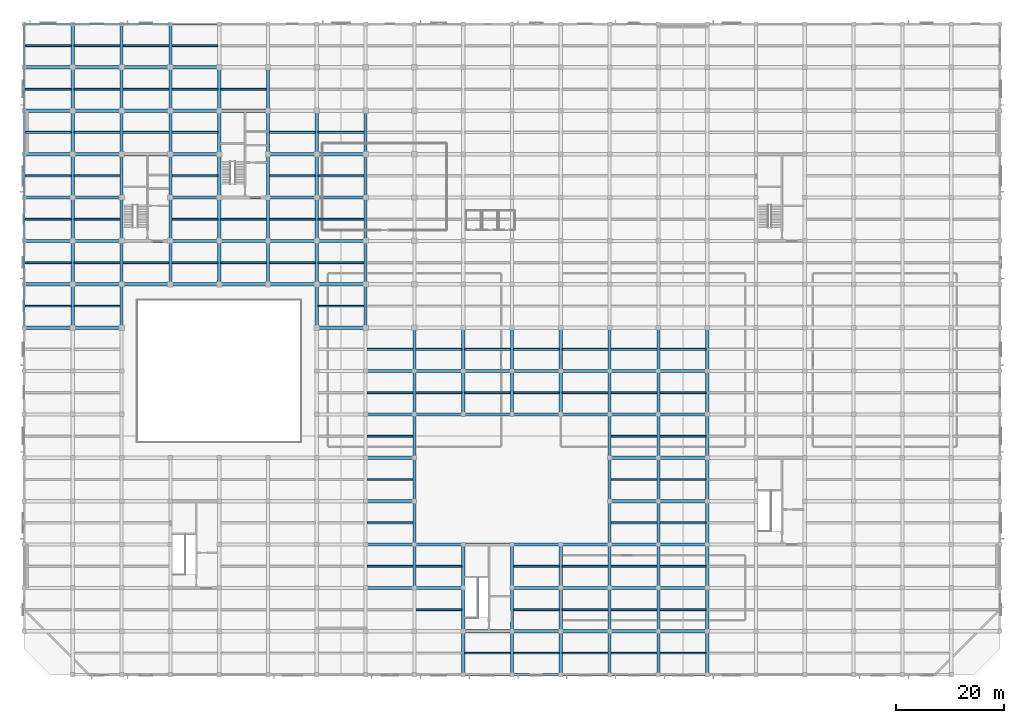
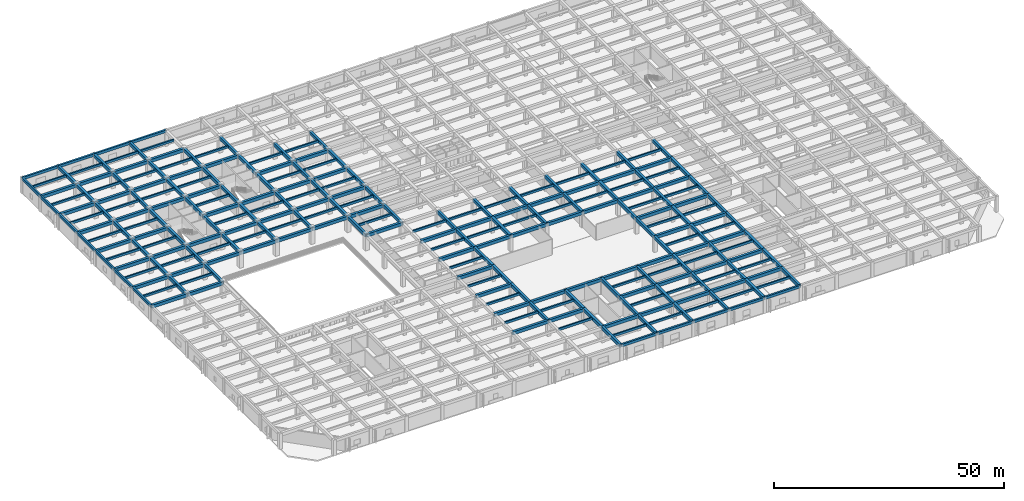
# One storey, part 3 of 32: 252 beams.
"""IFC4 building model written with IfcOpenShell, lengths in metres."""

from ifc_helpers import new_model, si_unit, direction, frame, origin, origin_2d, place, context, subcontext, project, spatial, rectangle, extrude, material, material_profile, profile_set, type_object, element, save


model = new_model("IFC4")

# Units and contexts
model_context = context("Model", 3, precision=1e-05, world=origin(), true_north=direction((0.0, 1.0)))
body_context = subcontext(model_context, "Body", "Model", "MODEL_VIEW")
ifc_project = project(units=[si_unit("LENGTHUNIT", "METRE"), si_unit("AREAUNIT", "SQUARE_METRE"), si_unit("VOLUMEUNIT", "CUBIC_METRE"), si_unit("PLANEANGLEUNIT", "RADIAN"), si_unit("MASSUNIT", "GRAM", prefix="KILO")], contexts=[model_context])

# Site, building, storey
site_placement = place(None, origin())
site = spatial("IfcSite", under=ifc_project, at=site_placement, CompositionType="ELEMENT")
building_placement = place(site_placement, origin())
building = spatial("IfcBuilding", under=site, at=building_placement, Name="Zaverband Oceanarium and Marine Research Institute", CompositionType="ELEMENT")
storey_placement = place(building_placement, frame((0.0, 0.0, 13.5)))
storey = spatial("IfcBuildingStorey", under=building, at=storey_placement, Name="L03", CompositionType="ELEMENT", Elevation=13.5)

# Beams
ifc_material = material(Name="Concrete C40/50", Category="concrete")
ifc_material_profile_1 = material_profile(ifc_material, rectangle(XDim=0.60009765625, YDim=0.85009765625, at=origin_2d()), Name="RC600x850")
ifc_profile_set_1 = profile_set([ifc_material_profile_1], Name="Concrete C40/50")
beam_type_1 = type_object("IfcBeamType", Name="BM-600x850", PredefinedType="BEAM", material=ifc_profile_set_1)
for number, where, z_axis, x_axis, name in (
    (1, (81.0, 8.0, 3.77490234375), (1.0, 0.0, 0.0), (0.0, 1.0, 0.0), "Primary floor girder BM-600x850"),
    (2, (90.0, 8.0, 3.77490234375), (1.0, 0.0, 0.0), (0.0, 1.0, 0.0), "Primary floor girder BM-600x850"),
    (3, (99.0, 8.0, 3.77490234375), (1.0, 0.0, 0.0), (0.0, 1.0, 0.0), "Primary floor girder BM-600x850"),
    (4, (108.0, 8.0, 3.77490234375), (1.0, 0.0, 0.0), (0.0, 1.0, 0.0), "Primary floor girder BM-600x850"),
    (5, (117.0, 8.0, 3.77490234375), (1.0, 0.0, 0.0), (0.0, 1.0, 0.0), "Primary floor girder BM-600x850"),
    (6, (63.0, 16.0, 3.77490234375), (1.0, 0.0, 0.0), (0.0, 1.0, 0.0), "Primary floor girder BM-600x850"),
    (7, (72.0, 16.0, 3.77490234375), (1.0, 0.0, 0.0), (0.0, 1.0, 0.0), "Primary floor girder BM-600x850"),
    (8, (90.0, 16.0, 3.77490234375), (1.0, 0.0, 0.0), (0.0, 1.0, 0.0), "Primary floor girder BM-600x850"),
    (9, (99.0, 16.0, 3.77490234375), (1.0, 0.0, 0.0), (0.0, 1.0, 0.0), "Primary floor girder BM-600x850"),
    (10, (108.0, 16.0, 3.77490234375), (1.0, 0.0, 0.0), (0.0, 1.0, 0.0), "Primary floor girder BM-600x850"),
    (11, (117.0, 16.0, 3.77490234375), (1.0, 0.0, 0.0), (0.0, 1.0, 0.0), "Primary floor girder BM-600x850"),
    (12, (63.0, 24.0, 3.77490234375), (1.0, 0.0, 0.0), (0.0, 1.0, 0.0), "Primary floor girder BM-600x850"),
    (13, (72.0, 24.0, 3.77490234375), (1.0, 0.0, 0.0), (0.0, 1.0, 0.0), "Primary floor girder BM-600x850"),
    (14, (81.0, 24.0, 3.77490234375), (1.0, 0.0, 0.0), (0.0, 1.0, 0.0), "Primary floor girder BM-600x850"),
    (15, (90.0, 24.0, 3.77490234375), (1.0, 0.0, 0.0), (0.0, 1.0, 0.0), "Primary floor girder BM-600x850"),
    (16, (99.0, 24.0, 3.77490234375), (1.0, 0.0, 0.0), (0.0, 1.0, 0.0), "Primary floor girder BM-600x850"),
    (17, (108.0, 24.0, 3.77490234375), (1.0, 0.0, 0.0), (0.0, 1.0, 0.0), "Primary floor girder BM-600x850"),
    (18, (117.0, 24.0, 3.77490234375), (1.0, 0.0, 0.0), (0.0, 1.0, 0.0), "Primary floor girder BM-600x850"),
    (19, (63.0, 32.0, 3.77490234375), (1.0, 0.0, 0.0), (0.0, 1.0, 0.0), "Primary floor girder BM-600x850"),
    (20, (108.0, 32.0, 3.77490234375), (1.0, 0.0, 0.0), (0.0, 1.0, 0.0), "Primary floor girder BM-600x850"),
    (21, (117.0, 32.0, 3.77490234375), (1.0, 0.0, 0.0), (0.0, 1.0, 0.0), "Primary floor girder BM-600x850"),
    (22, (63.0, 40.0, 3.77490234375), (1.0, 0.0, 0.0), (0.0, 1.0, 0.0), "Primary floor girder BM-600x850"),
    (23, (108.0, 40.0, 3.77490234375), (1.0, 0.0, 0.0), (0.0, 1.0, 0.0), "Primary floor girder BM-600x850"),
    (24, (117.0, 40.0, 3.77490234375), (1.0, 0.0, 0.0), (0.0, 1.0, 0.0), "Primary floor girder BM-600x850"),
    (25, (63.0, 48.0, 3.77490234375), (1.0, 0.0, 0.0), (0.0, 1.0, 0.0), "Primary floor girder BM-600x850"),
    (26, (72.0, 48.0, 3.77490234375), (1.0, 0.0, 0.0), (0.0, 1.0, 0.0), "Primary floor girder BM-600x850"),
    (27, (81.0, 48.0, 3.77490234375), (1.0, 0.0, 0.0), (0.0, 1.0, 0.0), "Primary floor girder BM-600x850"),
    (28, (90.0, 48.0, 3.77490234375), (1.0, 0.0, 0.0), (0.0, 1.0, 0.0), "Primary floor girder BM-600x850"),
    (29, (99.0, 48.0, 3.77490234375), (1.0, 0.0, 0.0), (0.0, 1.0, 0.0), "Primary floor girder BM-600x850"),
    (30, (108.0, 48.0, 3.77490234375), (1.0, 0.0, 0.0), (0.0, 1.0, 0.0), "Primary floor girder BM-600x850"),
    (31, (117.0, 48.0, 3.77490234375), (1.0, 0.0, 0.0), (0.0, 1.0, 0.0), "Primary floor girder BM-600x850"),
    (32, (63.0, 56.0, 3.77490234375), (1.0, 0.0, 0.0), (0.0, 1.0, 0.0), "Primary floor girder BM-600x850"),
    (33, (72.0, 56.0, 3.77490234375), (1.0, 0.0, 0.0), (0.0, 1.0, 0.0), "Primary floor girder BM-600x850"),
    (34, (81.0, 56.0, 3.77490234375), (1.0, 0.0, 0.0), (0.0, 1.0, 0.0), "Primary floor girder BM-600x850"),
    (35, (90.0, 56.0, 3.77490234375), (1.0, 0.0, 0.0), (0.0, 1.0, 0.0), "Primary floor girder BM-600x850"),
    (36, (99.0, 56.0, 3.77490234375), (1.0, 0.0, 0.0), (0.0, 1.0, 0.0), "Primary floor girder BM-600x850"),
    (37, (108.0, 56.0, 3.77490234375), (1.0, 0.0, 0.0), (0.0, 1.0, 0.0), "Primary floor girder BM-600x850"),
    (38, (117.0, 56.0, 3.77490234375), (1.0, 0.0, 0.0), (0.0, 1.0, 0.0), "Primary floor girder BM-600x850"),
    (39, (0.0, 64.0, 3.77490234375), (1.0, 0.0, 0.0), (0.0, 1.0, 0.0), "Primary floor girder BM-600x850"),
    (40, (9.0, 64.0, 3.77490234375), (1.0, 0.0, 0.0), (0.0, 1.0, 0.0), "Primary floor girder BM-600x850"),
    (41, (54.0, 64.0, 3.77490234375), (1.0, 0.0, 0.0), (0.0, 1.0, 0.0), "Primary floor girder BM-600x850"),
    (42, (0.0, 72.0, 3.77490234375), (1.0, 0.0, 0.0), (0.0, 1.0, 0.0), "Primary floor girder BM-600x850"),
    (43, (9.0, 72.0, 3.77490234375), (1.0, 0.0, 0.0), (0.0, 1.0, 0.0), "Primary floor girder BM-600x850"),
    (44, (18.0, 72.0, 3.77490234375), (1.0, 0.0, 0.0), (0.0, 1.0, 0.0), "Primary floor girder BM-600x850"),
    (45, (27.0, 72.0, 3.77490234375), (1.0, 0.0, 0.0), (0.0, 1.0, 0.0), "Primary floor girder BM-600x850"),
    (46, (36.0, 72.0, 3.77490234375), (1.0, 0.0, 0.0), (0.0, 1.0, 0.0), "Primary floor girder BM-600x850"),
    (47, (45.0, 72.0, 3.77490234375), (1.0, 0.0, 0.0), (0.0, 1.0, 0.0), "Primary floor girder BM-600x850"),
    (48, (54.0, 72.0, 3.77490234375), (1.0, 0.0, 0.0), (0.0, 1.0, 0.0), "Primary floor girder BM-600x850"),
    (49, (0.0, 80.0, 3.77490234375), (1.0, 0.0, 0.0), (0.0, 1.0, 0.0), "Primary floor girder BM-600x850"),
    (50, (9.0, 80.0, 3.77490234375), (1.0, 0.0, 0.0), (0.0, 1.0, 0.0), "Primary floor girder BM-600x850"),
    (51, (18.0, 80.0, 3.77490234375), (1.0, 0.0, 0.0), (0.0, 1.0, 0.0), "Primary floor girder BM-600x850"),
    (52, (27.0, 80.0, 3.77490234375), (1.0, 0.0, 0.0), (0.0, 1.0, 0.0), "Primary floor girder BM-600x850"),
    (53, (36.0, 80.0, 3.77490234375), (1.0, 0.0, 0.0), (0.0, 1.0, 0.0), "Primary floor girder BM-600x850"),
    (54, (45.0, 80.0, 3.77490234375), (1.0, 0.0, 0.0), (0.0, 1.0, 0.0), "Primary floor girder BM-600x850"),
    (55, (54.0, 80.0, 3.77490234375), (1.0, 0.0, 0.0), (0.0, 1.0, 0.0), "Primary floor girder BM-600x850"),
    (56, (0.0, 88.0, 3.77490234375), (1.0, 0.0, 0.0), (0.0, 1.0, 0.0), "Primary floor girder BM-600x850"),
    (57, (9.0, 88.0, 3.77490234375), (1.0, 0.0, 0.0), (0.0, 1.0, 0.0), "Primary floor girder BM-600x850"),
    (58, (27.0, 88.0, 3.77490234375), (1.0, 0.0, 0.0), (0.0, 1.0, 0.0), "Primary floor girder BM-600x850"),
    (59, (36.0, 88.0, 3.77490234375), (1.0, 0.0, 0.0), (0.0, 1.0, 0.0), "Primary floor girder BM-600x850"),
    (60, (45.0, 88.0, 3.77490234375), (1.0, 0.0, 0.0), (0.0, 1.0, 0.0), "Primary floor girder BM-600x850"),
    (61, (54.0, 88.0, 3.77490234375), (1.0, 0.0, 0.0), (0.0, 1.0, 0.0), "Primary floor girder BM-600x850"),
    (62, (0.0, 96.0, 3.77490234375), (1.0, 0.0, 0.0), (0.0, 1.0, 0.0), "Primary floor girder BM-600x850"),
    (63, (9.0, 96.0, 3.77490234375), (1.0, 0.0, 0.0), (0.0, 1.0, 0.0), "Primary floor girder BM-600x850"),
    (64, (18.0, 96.0, 3.77490234375), (1.0, 0.0, 0.0), (0.0, 1.0, 0.0), "Primary floor girder BM-600x850"),
    (65, (27.0, 96.0, 3.77490234375), (1.0, 0.0, 0.0), (0.0, 1.0, 0.0), "Primary floor girder BM-600x850"),
    (66, (45.0, 96.0, 3.77490234375), (1.0, 0.0, 0.0), (0.0, 1.0, 0.0), "Primary floor girder BM-600x850"),
    (67, (54.0, 96.0, 3.77490234375), (1.0, 0.0, 0.0), (0.0, 1.0, 0.0), "Primary floor girder BM-600x850"),
    (68, (0.0, 104.0, 3.77490234375), (1.0, 0.0, 0.0), (0.0, 1.0, 0.0), "Primary floor girder BM-600x850"),
    (69, (9.0, 104.0, 3.77490234375), (1.0, 0.0, 0.0), (0.0, 1.0, 0.0), "Primary floor girder BM-600x850"),
    (70, (18.0, 104.0, 3.77490234375), (1.0, 0.0, 0.0), (0.0, 1.0, 0.0), "Primary floor girder BM-600x850"),
    (71, (27.0, 104.0, 3.77490234375), (1.0, 0.0, 0.0), (0.0, 1.0, 0.0), "Primary floor girder BM-600x850"),
    (72, (36.0, 104.0, 3.77490234375), (1.0, 0.0, 0.0), (0.0, 1.0, 0.0), "Primary floor girder BM-600x850"),
    (73, (0.0, 112.0, 3.77490234375), (1.0, 0.0, 0.0), (0.0, 1.0, 0.0), "Primary floor girder BM-600x850"),
    (74, (9.0, 112.0, 3.77490234375), (1.0, 0.0, 0.0), (0.0, 1.0, 0.0), "Primary floor girder BM-600x850"),
    (75, (18.0, 112.0, 3.77490234375), (1.0, 0.0, 0.0), (0.0, 1.0, 0.0), "Primary floor girder BM-600x850"),
    (76, (27.0, 112.0, 3.77490234375), (1.0, 0.0, 0.0), (0.0, 1.0, 0.0), "Primary floor girder BM-600x850"),
):
    element("IfcBeam", number, at=place(storey_placement, frame(where, z_axis=z_axis, x_axis=x_axis)), inside=storey, type_object=beam_type_1, Name=name, PredefinedType="BEAM", context=body_context, shape_type="SweptSolid", body=[
        extrude(rectangle(XDim=0.60009765625, YDim=0.85009765625, at=origin_2d()), origin(), (0.0, 0.0, 1.0), 9.0),
    ])
for number, where, z_axis, x_axis, name in (
    (77, (9.0, 64.0, 3.77490234375), (0.0, 1.0, 0.0), (-1.0, 0.0, 0.0), "Primary floor girder BM-600x850"),
    (78, (9.0, 72.0, 3.77490234375), (0.0, 1.0, 0.0), (-1.0, 0.0, 0.0), "Primary floor girder BM-600x850"),
    (79, (9.0, 80.0, 3.77490234375), (0.0, 1.0, 0.0), (-1.0, 0.0, 0.0), "Primary floor girder BM-600x850"),
    (80, (9.0, 88.0, 3.77490234375), (0.0, 1.0, 0.0), (-1.0, 0.0, 0.0), "Primary floor girder BM-600x850"),
    (81, (9.0, 96.0, 3.77490234375), (0.0, 1.0, 0.0), (-1.0, 0.0, 0.0), "Primary floor girder BM-600x850"),
    (82, (9.0, 104.0, 3.77490234375), (0.0, 1.0, 0.0), (-1.0, 0.0, 0.0), "Primary floor girder BM-600x850"),
    (83, (9.0, 112.0, 3.77490234375), (0.0, 1.0, 0.0), (-1.0, 0.0, 0.0), "Primary floor girder BM-600x850"),
    (84, (18.0, 64.0, 3.77490234375), (0.0, 1.0, 0.0), (-1.0, 0.0, 0.0), "Primary floor girder BM-600x850"),
    (85, (18.0, 72.0, 3.77490234375), (0.0, 1.0, 0.0), (-1.0, 0.0, 0.0), "Primary floor girder BM-600x850"),
    (86, (18.0, 80.0, 3.77490234375), (0.0, 1.0, 0.0), (-1.0, 0.0, 0.0), "Primary floor girder BM-600x850"),
    (87, (18.0, 88.0, 3.77490234375), (0.0, 1.0, 0.0), (-1.0, 0.0, 0.0), "Primary floor girder BM-600x850"),
    (88, (18.0, 96.0, 3.77490234375), (0.0, 1.0, 0.0), (-1.0, 0.0, 0.0), "Primary floor girder BM-600x850"),
    (89, (18.0, 104.0, 3.77490234375), (0.0, 1.0, 0.0), (-1.0, 0.0, 0.0), "Primary floor girder BM-600x850"),
    (90, (18.0, 112.0, 3.77490234375), (0.0, 1.0, 0.0), (-1.0, 0.0, 0.0), "Primary floor girder BM-600x850"),
    (91, (27.0, 72.0, 3.77490234375), (0.0, 1.0, 0.0), (-1.0, 0.0, 0.0), "Primary floor girder BM-600x850"),
    (92, (27.0, 80.0, 3.77490234375), (0.0, 1.0, 0.0), (-1.0, 0.0, 0.0), "Primary floor girder BM-600x850"),
    (93, (27.0, 88.0, 3.77490234375), (0.0, 1.0, 0.0), (-1.0, 0.0, 0.0), "Primary floor girder BM-600x850"),
    (94, (27.0, 96.0, 3.77490234375), (0.0, 1.0, 0.0), (-1.0, 0.0, 0.0), "Primary floor girder BM-600x850"),
    (95, (27.0, 104.0, 3.77490234375), (0.0, 1.0, 0.0), (-1.0, 0.0, 0.0), "Primary floor girder BM-600x850"),
    (96, (27.0, 112.0, 3.77490234375), (0.0, 1.0, 0.0), (-1.0, 0.0, 0.0), "Primary floor girder BM-600x850"),
    (97, (36.0, 72.0, 3.77490234375), (0.0, 1.0, 0.0), (-1.0, 0.0, 0.0), "Primary floor girder BM-600x850"),
    (98, (36.0, 80.0, 3.77490234375), (0.0, 1.0, 0.0), (-1.0, 0.0, 0.0), "Primary floor girder BM-600x850"),
    (99, (36.0, 88.0, 3.77490234375), (0.0, 1.0, 0.0), (-1.0, 0.0, 0.0), "Primary floor girder BM-600x850"),
    (100, (36.0, 96.0, 3.77490234375), (0.0, 1.0, 0.0), (-1.0, 0.0, 0.0), "Primary floor girder BM-600x850"),
    (101, (36.0, 104.0, 3.77490234375), (0.0, 1.0, 0.0), (-1.0, 0.0, 0.0), "Primary floor girder BM-600x850"),
    (102, (45.0, 72.0, 3.77490234375), (0.0, 1.0, 0.0), (-1.0, 0.0, 0.0), "Primary floor girder BM-600x850"),
    (103, (45.0, 80.0, 3.77490234375), (0.0, 1.0, 0.0), (-1.0, 0.0, 0.0), "Primary floor girder BM-600x850"),
    (104, (45.0, 88.0, 3.77490234375), (0.0, 1.0, 0.0), (-1.0, 0.0, 0.0), "Primary floor girder BM-600x850"),
    (105, (45.0, 96.0, 3.77490234375), (0.0, 1.0, 0.0), (-1.0, 0.0, 0.0), "Primary floor girder BM-600x850"),
    (106, (45.0, 104.0, 3.77490234375), (0.0, 1.0, 0.0), (-1.0, 0.0, 0.0), "Primary floor girder BM-600x850"),
    (107, (54.0, 64.0, 3.77490234375), (0.0, 1.0, 0.0), (-1.0, 0.0, 0.0), "Primary floor girder BM-600x850"),
    (108, (54.0, 72.0, 3.77490234375), (0.0, 1.0, 0.0), (-1.0, 0.0, 0.0), "Primary floor girder BM-600x850"),
    (109, (54.0, 80.0, 3.77490234375), (0.0, 1.0, 0.0), (-1.0, 0.0, 0.0), "Primary floor girder BM-600x850"),
    (110, (54.0, 88.0, 3.77490234375), (0.0, 1.0, 0.0), (-1.0, 0.0, 0.0), "Primary floor girder BM-600x850"),
    (111, (54.0, 96.0, 3.77490234375), (0.0, 1.0, 0.0), (-1.0, 0.0, 0.0), "Primary floor girder BM-600x850"),
    (112, (63.0, 64.0, 3.77490234375), (0.0, 1.0, 0.0), (-1.0, 0.0, 0.0), "Primary floor girder BM-600x850"),
    (113, (63.0, 72.0, 3.77490234375), (0.0, 1.0, 0.0), (-1.0, 0.0, 0.0), "Primary floor girder BM-600x850"),
    (114, (63.0, 80.0, 3.77490234375), (0.0, 1.0, 0.0), (-1.0, 0.0, 0.0), "Primary floor girder BM-600x850"),
    (115, (63.0, 88.0, 3.77490234375), (0.0, 1.0, 0.0), (-1.0, 0.0, 0.0), "Primary floor girder BM-600x850"),
    (116, (63.0, 96.0, 3.77490234375), (0.0, 1.0, 0.0), (-1.0, 0.0, 0.0), "Primary floor girder BM-600x850"),
    (117, (72.0, 16.0, 3.77490234375), (0.0, 1.0, 0.0), (-1.0, 0.0, 0.0), "Primary floor girder BM-600x850"),
    (118, (72.0, 24.0, 3.77490234375), (0.0, 1.0, 0.0), (-1.0, 0.0, 0.0), "Primary floor girder BM-600x850"),
    (119, (72.0, 32.0, 3.77490234375), (0.0, 1.0, 0.0), (-1.0, 0.0, 0.0), "Primary floor girder BM-600x850"),
    (120, (72.0, 40.0, 3.77490234375), (0.0, 1.0, 0.0), (-1.0, 0.0, 0.0), "Primary floor girder BM-600x850"),
    (121, (72.0, 48.0, 3.77490234375), (0.0, 1.0, 0.0), (-1.0, 0.0, 0.0), "Primary floor girder BM-600x850"),
    (122, (72.0, 56.0, 3.77490234375), (0.0, 1.0, 0.0), (-1.0, 0.0, 0.0), "Primary floor girder BM-600x850"),
    (123, (81.0, 0.0, 3.77490234375), (0.0, 1.0, 0.0), (-1.0, 0.0, 0.0), "Primary floor girder BM-600x850"),
    (124, (81.0, 8.0, 3.77490234375), (0.0, 1.0, 0.0), (-1.0, 0.0, 0.0), "Primary floor girder BM-600x850"),
    (125, (81.0, 16.0, 3.77490234375), (0.0, 1.0, 0.0), (-1.0, 0.0, 0.0), "Primary floor girder BM-600x850"),
    (126, (81.0, 48.0, 3.77490234375), (0.0, 1.0, 0.0), (-1.0, 0.0, 0.0), "Primary floor girder BM-600x850"),
    (127, (81.0, 56.0, 3.77490234375), (0.0, 1.0, 0.0), (-1.0, 0.0, 0.0), "Primary floor girder BM-600x850"),
    (128, (90.0, 0.0, 3.77490234375), (0.0, 1.0, 0.0), (-1.0, 0.0, 0.0), "Primary floor girder BM-600x850"),
    (129, (90.0, 8.0, 3.77490234375), (0.0, 1.0, 0.0), (-1.0, 0.0, 0.0), "Primary floor girder BM-600x850"),
    (130, (90.0, 16.0, 3.77490234375), (0.0, 1.0, 0.0), (-1.0, 0.0, 0.0), "Primary floor girder BM-600x850"),
    (131, (90.0, 48.0, 3.77490234375), (0.0, 1.0, 0.0), (-1.0, 0.0, 0.0), "Primary floor girder BM-600x850"),
    (132, (90.0, 56.0, 3.77490234375), (0.0, 1.0, 0.0), (-1.0, 0.0, 0.0), "Primary floor girder BM-600x850"),
    (133, (99.0, 0.0, 3.77490234375), (0.0, 1.0, 0.0), (-1.0, 0.0, 0.0), "Primary floor girder BM-600x850"),
    (134, (99.0, 8.0, 3.77490234375), (0.0, 1.0, 0.0), (-1.0, 0.0, 0.0), "Primary floor girder BM-600x850"),
    (135, (99.0, 16.0, 3.77490234375), (0.0, 1.0, 0.0), (-1.0, 0.0, 0.0), "Primary floor girder BM-600x850"),
    (136, (99.0, 48.0, 3.77490234375), (0.0, 1.0, 0.0), (-1.0, 0.0, 0.0), "Primary floor girder BM-600x850"),
    (137, (99.0, 56.0, 3.77490234375), (0.0, 1.0, 0.0), (-1.0, 0.0, 0.0), "Primary floor girder BM-600x850"),
    (138, (108.0, 0.0, 3.77490234375), (0.0, 1.0, 0.0), (-1.0, 0.0, 0.0), "Primary floor girder BM-600x850"),
    (139, (108.0, 8.0, 3.77490234375), (0.0, 1.0, 0.0), (-1.0, 0.0, 0.0), "Primary floor girder BM-600x850"),
    (140, (108.0, 16.0, 3.77490234375), (0.0, 1.0, 0.0), (-1.0, 0.0, 0.0), "Primary floor girder BM-600x850"),
    (141, (108.0, 24.0, 3.77490234375), (0.0, 1.0, 0.0), (-1.0, 0.0, 0.0), "Primary floor girder BM-600x850"),
    (142, (108.0, 32.0, 3.77490234375), (0.0, 1.0, 0.0), (-1.0, 0.0, 0.0), "Primary floor girder BM-600x850"),
    (143, (108.0, 40.0, 3.77490234375), (0.0, 1.0, 0.0), (-1.0, 0.0, 0.0), "Primary floor girder BM-600x850"),
    (144, (108.0, 48.0, 3.77490234375), (0.0, 1.0, 0.0), (-1.0, 0.0, 0.0), "Primary floor girder BM-600x850"),
    (145, (108.0, 56.0, 3.77490234375), (0.0, 1.0, 0.0), (-1.0, 0.0, 0.0), "Primary floor girder BM-600x850"),
    (146, (117.0, 0.0, 3.77490234375), (0.0, 1.0, 0.0), (-1.0, 0.0, 0.0), "Primary floor girder BM-600x850"),
    (147, (117.0, 8.0, 3.77490234375), (0.0, 1.0, 0.0), (-1.0, 0.0, 0.0), "Primary floor girder BM-600x850"),
    (148, (117.0, 16.0, 3.77490234375), (0.0, 1.0, 0.0), (-1.0, 0.0, 0.0), "Primary floor girder BM-600x850"),
    (149, (117.0, 24.0, 3.77490234375), (0.0, 1.0, 0.0), (-1.0, 0.0, 0.0), "Primary floor girder BM-600x850"),
    (150, (117.0, 32.0, 3.77490234375), (0.0, 1.0, 0.0), (-1.0, 0.0, 0.0), "Primary floor girder BM-600x850"),
    (151, (117.0, 40.0, 3.77490234375), (0.0, 1.0, 0.0), (-1.0, 0.0, 0.0), "Primary floor girder BM-600x850"),
    (152, (117.0, 48.0, 3.77490234375), (0.0, 1.0, 0.0), (-1.0, 0.0, 0.0), "Primary floor girder BM-600x850"),
    (153, (117.0, 56.0, 3.77490234375), (0.0, 1.0, 0.0), (-1.0, 0.0, 0.0), "Primary floor girder BM-600x850"),
    (154, (126.0, 0.0, 3.77490234375), (0.0, 1.0, 0.0), (-1.0, 0.0, 0.0), "Primary floor girder BM-600x850"),
    (155, (126.0, 8.0, 3.77490234375), (0.0, 1.0, 0.0), (-1.0, 0.0, 0.0), "Primary floor girder BM-600x850"),
    (156, (126.0, 16.0, 3.77490234375), (0.0, 1.0, 0.0), (-1.0, 0.0, 0.0), "Primary floor girder BM-600x850"),
    (157, (126.0, 24.0, 3.77490234375), (0.0, 1.0, 0.0), (-1.0, 0.0, 0.0), "Primary floor girder BM-600x850"),
    (158, (126.0, 32.0, 3.77490234375), (0.0, 1.0, 0.0), (-1.0, 0.0, 0.0), "Primary floor girder BM-600x850"),
    (159, (126.0, 40.0, 3.77490234375), (0.0, 1.0, 0.0), (-1.0, 0.0, 0.0), "Primary floor girder BM-600x850"),
    (160, (126.0, 48.0, 3.77490234375), (0.0, 1.0, 0.0), (-1.0, 0.0, 0.0), "Primary floor girder BM-600x850"),
    (161, (126.0, 56.0, 3.77490234375), (0.0, 1.0, 0.0), (-1.0, 0.0, 0.0), "Primary floor girder BM-600x850"),
):
    element("IfcBeam", number, at=place(storey_placement, frame(where, z_axis=z_axis, x_axis=x_axis)), inside=storey, type_object=beam_type_1, Name=name, PredefinedType="BEAM", context=body_context, shape_type="SweptSolid", body=[
        extrude(rectangle(XDim=0.60009765625, YDim=0.85009765625, at=origin_2d()), origin(), (0.0, 0.0, 1.0), 8.0),
    ])
ifc_material_profile_2 = material_profile(ifc_material, rectangle(XDim=0.35009765625, YDim=0.60009765625, at=origin_2d()), Name="RC350x600")
ifc_profile_set_2 = profile_set([ifc_material_profile_2], Name="Concrete C40/50")
beam_type_2 = type_object("IfcBeamType", Name="JST-350x600", PredefinedType="JOIST", material=ifc_profile_set_2)
for number, where, z_axis, x_axis, name in (
    (162, (0.22509765625, 68.0, 3.89990234375), (1.0, 0.0, 0.0), (0.0, 1.0, 0.0), "Secondary floor joist JST-350x600"),
    (163, (0.22509765625, 76.0, 3.89990234375), (1.0, 0.0, 0.0), (0.0, 1.0, 0.0), "Secondary floor joist JST-350x600"),
    (164, (0.22509765625, 84.0, 3.89990234375), (1.0, 0.0, 0.0), (0.0, 1.0, 0.0), "Secondary floor joist JST-350x600"),
    (165, (0.22509765625, 92.0, 3.89990234375), (1.0, 0.0, 0.0), (0.0, 1.0, 0.0), "Secondary floor joist JST-350x600"),
    (166, (0.22509765625, 100.0, 3.89990234375), (1.0, 0.0, 0.0), (0.0, 1.0, 0.0), "Secondary floor joist JST-350x600"),
    (167, (0.22509765625, 108.0, 3.89990234375), (1.0, 0.0, 0.0), (0.0, 1.0, 0.0), "Secondary floor joist JST-350x600"),
    (168, (0.22509765625, 116.0, 3.89990234375), (1.0, 0.0, 0.0), (0.0, 1.0, 0.0), "Secondary floor joist JST-350x600"),
):
    element("IfcBeam", number, at=place(storey_placement, frame(where, z_axis=z_axis, x_axis=x_axis)), inside=storey, type_object=beam_type_2, Name=name, PredefinedType="JOIST", context=body_context, shape_type="SweptSolid", body=[
        extrude(rectangle(XDim=0.35009765625, YDim=0.60009765625, at=origin_2d()), origin(), (0.0, 0.0, 1.0), 8.474853515625),
    ])
for number, where, z_axis, x_axis, name in (
    (169, (9.300048828125, 68.0, 3.89990234375), (1.0, 0.0, 0.0), (0.0, 1.0, 0.0), "Secondary floor joist JST-350x600"),
    (170, (9.300048828125, 76.0, 3.89990234375), (1.0, 0.0, 0.0), (0.0, 1.0, 0.0), "Secondary floor joist JST-350x600"),
    (171, (9.300048828125, 84.0, 3.89990234375), (1.0, 0.0, 0.0), (0.0, 1.0, 0.0), "Secondary floor joist JST-350x600"),
    (172, (9.300048828125, 92.0, 3.89990234375), (1.0, 0.0, 0.0), (0.0, 1.0, 0.0), "Secondary floor joist JST-350x600"),
    (173, (9.300048828125, 100.0, 3.89990234375), (1.0, 0.0, 0.0), (0.0, 1.0, 0.0), "Secondary floor joist JST-350x600"),
    (174, (9.300048828125, 108.0, 3.89990234375), (1.0, 0.0, 0.0), (0.0, 1.0, 0.0), "Secondary floor joist JST-350x600"),
    (175, (9.300048828125, 116.0, 3.89990234375), (1.0, 0.0, 0.0), (0.0, 1.0, 0.0), "Secondary floor joist JST-350x600"),
    (176, (18.300048828125, 76.0, 3.89990234375), (1.0, 0.0, 0.0), (0.0, 1.0, 0.0), "Secondary floor joist JST-350x600"),
    (177, (18.300048828125, 100.0, 3.89990234375), (1.0, 0.0, 0.0), (0.0, 1.0, 0.0), "Secondary floor joist JST-350x600"),
    (178, (18.300048828125, 108.0, 3.89990234375), (1.0, 0.0, 0.0), (0.0, 1.0, 0.0), "Secondary floor joist JST-350x600"),
    (179, (18.300048828125, 116.0, 3.89990234375), (1.0, 0.0, 0.0), (0.0, 1.0, 0.0), "Secondary floor joist JST-350x600"),
    (180, (27.300048828125, 76.0, 3.89990234375), (1.0, 0.0, 0.0), (0.0, 1.0, 0.0), "Secondary floor joist JST-350x600"),
    (181, (27.300048828125, 84.0, 3.89990234375), (1.0, 0.0, 0.0), (0.0, 1.0, 0.0), "Secondary floor joist JST-350x600"),
    (182, (27.300048828125, 92.0, 3.89990234375), (1.0, 0.0, 0.0), (0.0, 1.0, 0.0), "Secondary floor joist JST-350x600"),
    (183, (27.300048828125, 100.0, 3.89990234375), (1.0, 0.0, 0.0), (0.0, 1.0, 0.0), "Secondary floor joist JST-350x600"),
    (184, (27.300048828125, 108.0, 3.89990234375), (1.0, 0.0, 0.0), (0.0, 1.0, 0.0), "Secondary floor joist JST-350x600"),
    (185, (27.300048828125, 116.0, 3.89990234375), (1.0, 0.0, 0.0), (0.0, 1.0, 0.0), "Secondary floor joist JST-350x600"),
    (186, (36.300048828125, 76.0, 3.89990234375), (1.0, 0.0, 0.0), (0.0, 1.0, 0.0), "Secondary floor joist JST-350x600"),
    (187, (36.300048828125, 84.0, 3.89990234375), (1.0, 0.0, 0.0), (0.0, 1.0, 0.0), "Secondary floor joist JST-350x600"),
    (188, (36.300048828125, 108.0, 3.89990234375), (1.0, 0.0, 0.0), (0.0, 1.0, 0.0), "Secondary floor joist JST-350x600"),
    (189, (45.300048828125, 76.0, 3.89990234375), (1.0, 0.0, 0.0), (0.0, 1.0, 0.0), "Secondary floor joist JST-350x600"),
    (190, (45.300048828125, 84.0, 3.89990234375), (1.0, 0.0, 0.0), (0.0, 1.0, 0.0), "Secondary floor joist JST-350x600"),
    (191, (45.300048828125, 92.0, 3.89990234375), (1.0, 0.0, 0.0), (0.0, 1.0, 0.0), "Secondary floor joist JST-350x600"),
    (192, (45.300048828125, 100.0, 3.89990234375), (1.0, 0.0, 0.0), (0.0, 1.0, 0.0), "Secondary floor joist JST-350x600"),
    (193, (54.300048828125, 68.0, 3.89990234375), (1.0, 0.0, 0.0), (0.0, 1.0, 0.0), "Secondary floor joist JST-350x600"),
    (194, (54.300048828125, 76.0, 3.89990234375), (1.0, 0.0, 0.0), (0.0, 1.0, 0.0), "Secondary floor joist JST-350x600"),
    (195, (54.300048828125, 84.0, 3.89990234375), (1.0, 0.0, 0.0), (0.0, 1.0, 0.0), "Secondary floor joist JST-350x600"),
    (196, (54.300048828125, 92.0, 3.89990234375), (1.0, 0.0, 0.0), (0.0, 1.0, 0.0), "Secondary floor joist JST-350x600"),
    (197, (54.300048828125, 100.0, 3.89990234375), (1.0, 0.0, 0.0), (0.0, 1.0, 0.0), "Secondary floor joist JST-350x600"),
    (198, (63.300048828125, 20.0, 3.89990234375), (1.0, 0.0, 0.0), (0.0, 1.0, 0.0), "Secondary floor joist JST-350x600"),
    (199, (63.300048828125, 28.0, 3.89990234375), (1.0, 0.0, 0.0), (0.0, 1.0, 0.0), "Secondary floor joist JST-350x600"),
    (200, (63.300048828125, 36.0, 3.89990234375), (1.0, 0.0, 0.0), (0.0, 1.0, 0.0), "Secondary floor joist JST-350x600"),
    (201, (63.300048828125, 44.0, 3.89990234375), (1.0, 0.0, 0.0), (0.0, 1.0, 0.0), "Secondary floor joist JST-350x600"),
    (202, (63.300048828125, 52.0, 3.89990234375), (1.0, 0.0, 0.0), (0.0, 1.0, 0.0), "Secondary floor joist JST-350x600"),
    (203, (63.300048828125, 60.0, 3.89990234375), (1.0, 0.0, 0.0), (0.0, 1.0, 0.0), "Secondary floor joist JST-350x600"),
    (204, (72.300048828125, 12.0, 3.89990234375), (1.0, 0.0, 0.0), (0.0, 1.0, 0.0), "Secondary floor joist JST-350x600"),
    (205, (72.300048828125, 20.0, 3.89990234375), (1.0, 0.0, 0.0), (0.0, 1.0, 0.0), "Secondary floor joist JST-350x600"),
    (206, (72.300048828125, 52.0, 3.89990234375), (1.0, 0.0, 0.0), (0.0, 1.0, 0.0), "Secondary floor joist JST-350x600"),
    (207, (72.300048828125, 60.0, 3.89990234375), (1.0, 0.0, 0.0), (0.0, 1.0, 0.0), "Secondary floor joist JST-350x600"),
    (208, (81.300048828125, 4.0, 3.89990234375), (1.0, 0.0, 0.0), (0.0, 1.0, 0.0), "Secondary floor joist JST-350x600"),
    (209, (81.300048828125, 52.0, 3.89990234375), (1.0, 0.0, 0.0), (0.0, 1.0, 0.0), "Secondary floor joist JST-350x600"),
    (210, (81.300048828125, 60.0, 3.89990234375), (1.0, 0.0, 0.0), (0.0, 1.0, 0.0), "Secondary floor joist JST-350x600"),
    (211, (90.300048828125, 4.0, 3.89990234375), (1.0, 0.0, 0.0), (0.0, 1.0, 0.0), "Secondary floor joist JST-350x600"),
    (212, (90.300048828125, 12.0, 3.89990234375), (1.0, 0.0, 0.0), (0.0, 1.0, 0.0), "Secondary floor joist JST-350x600"),
    (213, (90.300048828125, 20.0, 3.89990234375), (1.0, 0.0, 0.0), (0.0, 1.0, 0.0), "Secondary floor joist JST-350x600"),
    (214, (90.300048828125, 52.0, 3.89990234375), (1.0, 0.0, 0.0), (0.0, 1.0, 0.0), "Secondary floor joist JST-350x600"),
    (215, (90.300048828125, 60.0, 3.89990234375), (1.0, 0.0, 0.0), (0.0, 1.0, 0.0), "Secondary floor joist JST-350x600"),
    (216, (99.300048828125, 4.0, 3.89990234375), (1.0, 0.0, 0.0), (0.0, 1.0, 0.0), "Secondary floor joist JST-350x600"),
    (217, (99.300048828125, 12.0, 3.89990234375), (1.0, 0.0, 0.0), (0.0, 1.0, 0.0), "Secondary floor joist JST-350x600"),
    (218, (99.300048828125, 20.0, 3.89990234375), (1.0, 0.0, 0.0), (0.0, 1.0, 0.0), "Secondary floor joist JST-350x600"),
    (219, (99.300048828125, 52.0, 3.89990234375), (1.0, 0.0, 0.0), (0.0, 1.0, 0.0), "Secondary floor joist JST-350x600"),
    (220, (99.300048828125, 60.0, 3.89990234375), (1.0, 0.0, 0.0), (0.0, 1.0, 0.0), "Secondary floor joist JST-350x600"),
    (221, (108.300048828125, 4.0, 3.89990234375), (1.0, 0.0, 0.0), (0.0, 1.0, 0.0), "Secondary floor joist JST-350x600"),
    (222, (108.300048828125, 12.0, 3.89990234375), (1.0, 0.0, 0.0), (0.0, 1.0, 0.0), "Secondary floor joist JST-350x600"),
    (223, (108.300048828125, 20.0, 3.89990234375), (1.0, 0.0, 0.0), (0.0, 1.0, 0.0), "Secondary floor joist JST-350x600"),
    (224, (108.300048828125, 28.0, 3.89990234375), (1.0, 0.0, 0.0), (0.0, 1.0, 0.0), "Secondary floor joist JST-350x600"),
    (225, (108.300048828125, 36.0, 3.89990234375), (1.0, 0.0, 0.0), (0.0, 1.0, 0.0), "Secondary floor joist JST-350x600"),
    (226, (108.300048828125, 44.0, 3.89990234375), (1.0, 0.0, 0.0), (0.0, 1.0, 0.0), "Secondary floor joist JST-350x600"),
    (227, (108.300048828125, 52.0, 3.89990234375), (1.0, 0.0, 0.0), (0.0, 1.0, 0.0), "Secondary floor joist JST-350x600"),
    (228, (108.300048828125, 60.0, 3.89990234375), (1.0, 0.0, 0.0), (0.0, 1.0, 0.0), "Secondary floor joist JST-350x600"),
    (229, (117.300048828125, 4.0, 3.89990234375), (1.0, 0.0, 0.0), (0.0, 1.0, 0.0), "Secondary floor joist JST-350x600"),
    (230, (117.300048828125, 12.0, 3.89990234375), (1.0, 0.0, 0.0), (0.0, 1.0, 0.0), "Secondary floor joist JST-350x600"),
    (231, (117.300048828125, 20.0, 3.89990234375), (1.0, 0.0, 0.0), (0.0, 1.0, 0.0), "Secondary floor joist JST-350x600"),
    (232, (117.300048828125, 28.0, 3.89990234375), (1.0, 0.0, 0.0), (0.0, 1.0, 0.0), "Secondary floor joist JST-350x600"),
    (233, (117.300048828125, 36.0, 3.89990234375), (1.0, 0.0, 0.0), (0.0, 1.0, 0.0), "Secondary floor joist JST-350x600"),
    (234, (117.300048828125, 44.0, 3.89990234375), (1.0, 0.0, 0.0), (0.0, 1.0, 0.0), "Secondary floor joist JST-350x600"),
    (235, (117.300048828125, 52.0, 3.89990234375), (1.0, 0.0, 0.0), (0.0, 1.0, 0.0), "Secondary floor joist JST-350x600"),
    (236, (117.300048828125, 60.0, 3.89990234375), (1.0, 0.0, 0.0), (0.0, 1.0, 0.0), "Secondary floor joist JST-350x600"),
):
    element("IfcBeam", number, at=place(storey_placement, frame(where, z_axis=z_axis, x_axis=x_axis)), inside=storey, type_object=beam_type_2, Name=name, PredefinedType="JOIST", context=body_context, shape_type="SweptSolid", body=[
        extrude(rectangle(XDim=0.35009765625, YDim=0.60009765625, at=origin_2d()), origin(), (0.0, 0.0, 1.0), 8.39990234375),
    ])
ifc_material_profile_3 = material_profile(ifc_material, rectangle(XDim=0.449951171875, YDim=0.699951171875, at=origin_2d()), Name="RC450x700")
ifc_profile_set_3 = profile_set([ifc_material_profile_3], Name="Concrete C40/50")
beam_type_3 = type_object("IfcBeamType", Name="SPN-450x700", PredefinedType="SPANDREL", material=ifc_profile_set_3)
for number, where, z_axis, x_axis, name in (
    (237, (81.0, 0.0, 3.85009765625), (1.0, 0.0, 0.0), (0.0, 1.0, 0.0), "Perimeter spandrel beam SPN-450x700"),
    (238, (90.0, 0.0, 3.85009765625), (1.0, 0.0, 0.0), (0.0, 1.0, 0.0), "Perimeter spandrel beam SPN-450x700"),
    (239, (99.0, 0.0, 3.85009765625), (1.0, 0.0, 0.0), (0.0, 1.0, 0.0), "Perimeter spandrel beam SPN-450x700"),
    (240, (108.0, 0.0, 3.85009765625), (1.0, 0.0, 0.0), (0.0, 1.0, 0.0), "Perimeter spandrel beam SPN-450x700"),
    (241, (117.0, 0.0, 3.85009765625), (1.0, 0.0, 0.0), (0.0, 1.0, 0.0), "Perimeter spandrel beam SPN-450x700"),
    (242, (0.0, 120.0, 3.85009765625), (1.0, 0.0, 0.0), (0.0, 1.0, 0.0), "Perimeter spandrel beam SPN-450x700"),
    (243, (9.0, 120.0, 3.85009765625), (1.0, 0.0, 0.0), (0.0, 1.0, 0.0), "Perimeter spandrel beam SPN-450x700"),
    (244, (18.0, 120.0, 3.85009765625), (1.0, 0.0, 0.0), (0.0, 1.0, 0.0), "Perimeter spandrel beam SPN-450x700"),
    (245, (27.0, 120.0, 3.85009765625), (1.0, 0.0, 0.0), (0.0, 1.0, 0.0), "Perimeter spandrel beam SPN-450x700"),
):
    element("IfcBeam", number, at=place(storey_placement, frame(where, z_axis=z_axis, x_axis=x_axis)), inside=storey, type_object=beam_type_3, Name=name, PredefinedType="SPANDREL", context=body_context, shape_type="SweptSolid", body=[
        extrude(rectangle(XDim=0.449951171875, YDim=0.699951171875, at=origin_2d()), origin(), (0.0, 0.0, 1.0), 9.0),
    ])
for number, where, z_axis, x_axis, name in (
    (246, (0.0, 64.0, 3.85009765625), (0.0, 1.0, 0.0), (-1.0, 0.0, 0.0), "Perimeter spandrel beam SPN-450x700"),
    (247, (0.0, 72.0, 3.85009765625), (0.0, 1.0, 0.0), (-1.0, 0.0, 0.0), "Perimeter spandrel beam SPN-450x700"),
    (248, (0.0, 80.0, 3.85009765625), (0.0, 1.0, 0.0), (-1.0, 0.0, 0.0), "Perimeter spandrel beam SPN-450x700"),
    (249, (0.0, 88.0, 3.85009765625), (0.0, 1.0, 0.0), (-1.0, 0.0, 0.0), "Perimeter spandrel beam SPN-450x700"),
    (250, (0.0, 96.0, 3.85009765625), (0.0, 1.0, 0.0), (-1.0, 0.0, 0.0), "Perimeter spandrel beam SPN-450x700"),
    (251, (0.0, 104.0, 3.85009765625), (0.0, 1.0, 0.0), (-1.0, 0.0, 0.0), "Perimeter spandrel beam SPN-450x700"),
    (252, (0.0, 112.0, 3.85009765625), (0.0, 1.0, 0.0), (-1.0, 0.0, 0.0), "Perimeter spandrel beam SPN-450x700"),
):
    element("IfcBeam", number, at=place(storey_placement, frame(where, z_axis=z_axis, x_axis=x_axis)), inside=storey, type_object=beam_type_3, Name=name, PredefinedType="SPANDREL", context=body_context, shape_type="SweptSolid", body=[
        extrude(rectangle(XDim=0.449951171875, YDim=0.699951171875, at=origin_2d()), origin(), (0.0, 0.0, 1.0), 8.0),
    ])

save(model, "model.ifc")
